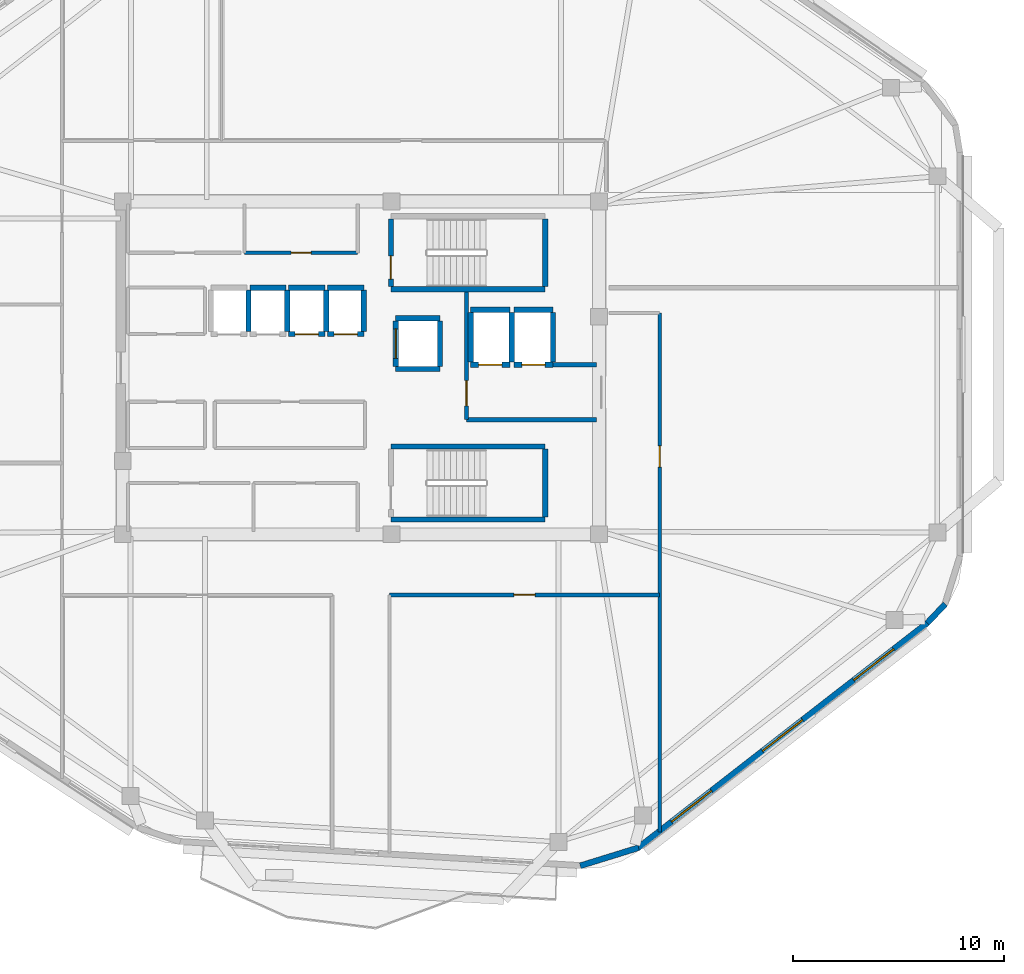
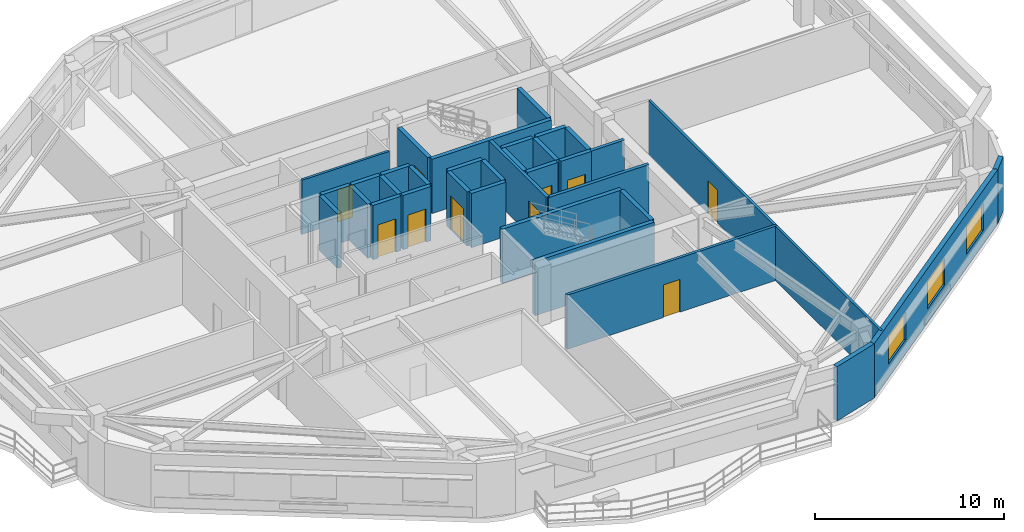
# One storey, part 4 of 9: 35 walls, 10 doors, 3 windows, 13 openings.
"""IFC4 building model written with IfcOpenShell, lengths in metres."""

from ifc_helpers import new_model, si_unit, direction, frame, frame_2d, origin, place, context, subcontext, project, spatial, rectangle, extrude, material, layer, layer_set, type_object, element, fill, save


model = new_model("IFC4")

# Units and contexts
model_context = context("Model", 3, precision=1e-05, world=origin(), true_north=direction((0.0, 1.0)))
body_context = subcontext(model_context, "Body", "Model", "MODEL_VIEW")
ifc_project = project(units=[si_unit("LENGTHUNIT", "METRE"), si_unit("AREAUNIT", "SQUARE_METRE"), si_unit("VOLUMEUNIT", "CUBIC_METRE"), si_unit("PLANEANGLEUNIT", "RADIAN"), si_unit("MASSUNIT", "GRAM", prefix="KILO")], contexts=[model_context])

# Site, building, storey
site_placement = place(None, origin())
site = spatial("IfcSite", under=ifc_project, at=site_placement, CompositionType="ELEMENT")
building_placement = place(site_placement, origin())
building = spatial("IfcBuilding", under=site, at=building_placement, Name="Zulverin Broadcast Headquarters", CompositionType="ELEMENT")
storey_placement = place(building_placement, frame((0.0, 0.0, 259.199951171875)))
storey = spatial("IfcBuildingStorey", under=building, at=storey_placement, Name="L66", CompositionType="ELEMENT", Elevation=259.199951171875)

# Wall, openings, windows
ifc_material_1 = material(Name="Insulated pale-metal clad concrete spandrel C40/50", Category="concrete")
ifc_layer_1 = layer(ifc_material_1, 0.280029296875, Name="Insulated pale-metal clad concrete spandrel C40/50", Category="concrete")
ifc_layer_set_1 = layer_set([ifc_layer_1], Name="Insulated pale-metal clad concrete spandrel C40/50")
wall_type_1 = type_object("IfcWallType", Name="WL-EXT-280", PredefinedType="STANDARD", material=ifc_layer_set_1)
wall_1_placement = place(storey_placement, frame((50.10400390625, 2.458984375, 0.0), z_axis=(0.0, 0.0, 1.0), x_axis=(0.789464857485, 0.613795763097, 0.0)))
wall_1 = element("IfcWall", 1, at=wall_1_placement, inside=storey, type_object=wall_type_1, Name="L66 Pale-Metal Clad Spandrel Wall 2", PredefinedType="STANDARD", context=body_context, shape_type="SweptSolid", body=[
    extrude(rectangle(XDim=17.387451171875, YDim=0.280029296875, at=frame_2d((8.69384765625, 0.0))), origin(), (0.0, 0.0, 1.0), 3.510009765625),
])
opening_1_placement = place(wall_1_placement, frame((2.03125, 0.0, 0.89990234375)))
opening_1 = element("IfcOpeningElement", 2, at=opening_1_placement, cuts=wall_1, Name="Opening W-L66-E21", PredefinedType="OPENING", context=body_context, shape_type="SweptSolid", body=[
    extrude(rectangle(XDim=2.39990234375, YDim=1.75, at=frame_2d((1.199951171875, 0.875))), frame((0.0, 0.14990234375, 0.0), z_axis=(0.0, -1.0, 0.0), x_axis=(1.0, 0.0, 0.0)), (0.0, 0.0, 1.0), 0.300048828125),
])
opening_2_placement = place(wall_1_placement, frame((7.49365234375, 0.0, 0.89990234375)))
opening_2 = element("IfcOpeningElement", 3, at=opening_2_placement, cuts=wall_1, Name="Opening W-L66-E22", PredefinedType="OPENING", context=body_context, shape_type="SweptSolid", body=[
    extrude(rectangle(XDim=2.39990234375, YDim=1.75, at=frame_2d((1.199951171875, 0.875))), frame((0.0, 0.14990234375, 0.0), z_axis=(0.0, -1.0, 0.0), x_axis=(1.0, 0.0, 0.0)), (0.0, 0.0, 1.0), 0.300048828125),
])
opening_3_placement = place(wall_1_placement, frame((12.956298828125, 0.0, 0.89990234375)))
opening_3 = element("IfcOpeningElement", 4, at=opening_3_placement, cuts=wall_1, Name="Opening W-L66-E23", PredefinedType="OPENING", context=body_context, shape_type="SweptSolid", body=[
    extrude(rectangle(XDim=2.39990234375, YDim=1.75, at=frame_2d((1.199951171875, 0.875))), frame((0.0, 0.14990234375, 0.0), z_axis=(0.0, -1.0, 0.0), x_axis=(1.0, 0.0, 0.0)), (0.0, 0.0, 1.0), 0.300048828125),
])
ifc_material_2 = material(Name="Pale anodized aluminium frame with solar-control low-E double glazing", Category="aluminium")
window_type = type_object("IfcWindowType", Name="WIN-RIB-2400", PartitioningType="SINGLE_PANEL", PredefinedType="WINDOW", material=ifc_material_2)
window_1_placement = place(opening_1_placement, origin())
window_1 = element("IfcWindow", 5, at=window_1_placement, inside=storey, type_object=window_type, Name="L66 Ribbon Glazing Window 2 1", OverallHeight=1.75, OverallWidth=2.39990234375, PartitioningType="SINGLE_PANEL", PredefinedType="WINDOW", context=body_context, shape_type="SweptSolid", body=[
    extrude(rectangle(XDim=2.39990234375, YDim=1.75, at=frame_2d((1.199951171875, 0.875))), frame((0.0, 0.030029296875, 0.0), z_axis=(0.0, -1.0, 0.0), x_axis=(1.0, 0.0, 0.0)), (0.0, 0.0, 1.0), 0.06005859375),
])
fill(opening_1, window_1)
window_2_placement = place(opening_2_placement, origin())
window_2 = element("IfcWindow", 6, at=window_2_placement, inside=storey, type_object=window_type, Name="L66 Ribbon Glazing Window 2 2", OverallHeight=1.75, OverallWidth=2.39990234375, PartitioningType="SINGLE_PANEL", PredefinedType="WINDOW", context=body_context, shape_type="SweptSolid", body=[
    extrude(rectangle(XDim=2.39990234375, YDim=1.75, at=frame_2d((1.199951171875, 0.875))), frame((0.0, 0.030029296875, 0.0), z_axis=(0.0, -1.0, 0.0), x_axis=(1.0, 0.0, 0.0)), (0.0, 0.0, 1.0), 0.06005859375),
])
fill(opening_2, window_2)
window_3_placement = place(opening_3_placement, origin())
window_3 = element("IfcWindow", 7, at=window_3_placement, inside=storey, type_object=window_type, Name="L66 Ribbon Glazing Window 2 3", OverallHeight=1.75, OverallWidth=2.39990234375, PartitioningType="SINGLE_PANEL", PredefinedType="WINDOW", context=body_context, shape_type="SweptSolid", body=[
    extrude(rectangle(XDim=2.39990234375, YDim=1.75, at=frame_2d((1.199951171875, 0.875))), frame((0.0, 0.030029296875, 0.0), z_axis=(0.0, -1.0, 0.0), x_axis=(1.0, 0.0, 0.0)), (0.0, 0.0, 1.0), 0.06005859375),
])
fill(opening_3, window_3)

# Walls
wall_2_placement = place(storey_placement, frame((47.38623046875, 1.626220703125, 0.0), z_axis=(0.0, 0.0, 1.0), x_axis=(0.955189316149, 0.29599555793, 0.0)))
element("IfcWall", 8, at=wall_2_placement, inside=storey, type_object=wall_type_1, Name="L66 Wind-Shaped Corner Spandrel Wall 1-1", PredefinedType="STANDARD", context=body_context, shape_type="SweptSolid", body=[
    extrude(rectangle(XDim=2.891845703125, YDim=0.280029296875, at=frame_2d((1.44580078125, 0.0))), origin(), (0.0, 0.0, 1.0), 3.510009765625),
])
wall_3_placement = place(storey_placement, frame((63.81494140625, 13.1171875, 0.0), z_axis=(0.0, 0.0, 1.0), x_axis=(0.687733716128, 0.725963040176, 0.0)))
element("IfcWall", 9, at=wall_3_placement, inside=storey, type_object=wall_type_1, Name="L66 Wind-Shaped Corner Spandrel Wall 2-1", PredefinedType="STANDARD", context=body_context, shape_type="SweptSolid", body=[
    extrude(rectangle(XDim=1.239013671875, YDim=0.280029296875, at=frame_2d((0.61962890625, 0.0))), origin(), (0.0, 0.0, 1.0), 3.510009765625),
])

# Wall, opening, door
ifc_material_3 = material(Name="Concrete C40/50", Category="concrete")
ifc_layer_2 = layer(ifc_material_3, 0.199951171875, Name="Concrete C40/50", Category="concrete")
ifc_layer_set_2 = layer_set([ifc_layer_2], Name="Concrete C40/50")
wall_type_2 = type_object("IfcWallType", Name="WL-FFL-200", PredefinedType="SOLIDWALL", material=ifc_layer_set_2)
wall_4_placement = place(storey_placement, frame((42.0, 22.75, 0.0), z_axis=(0.0, 0.0, 1.0), x_axis=(0.0, 1.0, 0.0)))
wall_4 = element("IfcWall", 10, at=wall_4_placement, inside=storey, type_object=wall_type_2, Name="L66 Firefighting Lift Lobby West Wall", PredefinedType="SOLIDWALL", context=body_context, shape_type="SweptSolid", body=[
    extrude(rectangle(XDim=6.050048828125, YDim=0.199951171875, at=frame_2d((3.02490234375, 0.0))), origin(), (0.0, 0.0, 1.0), 3.510009765625),
])
opening_4_placement = place(wall_4_placement, frame((0.64990234375, 0.0, 0.0)))
opening_4 = element("IfcOpeningElement", 11, at=opening_4_placement, cuts=wall_4, Name="Opening D-L66-FFLW", PredefinedType="OPENING", context=body_context, shape_type="SweptSolid", body=[
    extrude(rectangle(XDim=1.199951171875, YDim=2.14990234375, at=frame_2d((0.60009765625, 1.074951171875))), frame((0.0, 0.10986328125, 0.0), z_axis=(0.0, -1.0, 0.0), x_axis=(1.0, 0.0, 0.0)), (0.0, 0.0, 1.0), 0.219970703125),
])
ifc_material_4 = material(Name="Fire-rated steel leaf and frame", Category="steel")
door_type_1 = type_object("IfcDoorType", Name="DR-FFL-1200", OperationType="SINGLE_SWING_RIGHT", PredefinedType="DOOR", material=ifc_material_4)
door_1_placement = place(opening_4_placement, origin())
door_1 = element("IfcDoor", 12, at=door_1_placement, inside=storey, type_object=door_type_1, Name="L66 Firefighting Lift Lobby Door", OperationType="SINGLE_SWING_RIGHT", OverallHeight=2.14990234375, OverallWidth=1.199951171875, PredefinedType="DOOR", context=body_context, shape_type="SweptSolid", body=[
    extrude(rectangle(XDim=1.199951171875, YDim=2.14990234375, at=frame_2d((0.60009765625, 1.074951171875))), frame((0.0, 0.02490234375, 0.0), z_axis=(0.0, -1.0, 0.0), x_axis=(1.0, 0.0, 0.0)), (0.0, 0.0, 1.0), 0.050048828125),
])
fill(opening_4, door_1)

# Walls
wall_5_placement = place(storey_placement, frame((42.0, 22.75, 0.0), z_axis=(0.0, 0.0, 1.0), x_axis=(1.0, 0.0, 0.0)))
element("IfcWall", 13, at=wall_5_placement, inside=storey, type_object=wall_type_2, Name="L66 Firefighting Lift Lobby South Wall", PredefinedType="SOLIDWALL", context=body_context, shape_type="SweptSolid", body=[
    extrude(rectangle(XDim=6.14990234375, YDim=0.199951171875, at=frame_2d((3.074951171875, 0.0))), origin(), (0.0, 0.0, 1.0), 3.510009765625),
])
wall_6_placement = place(storey_placement, frame((46.10009765625, 25.35009765625, 0.0), z_axis=(0.0, 0.0, 1.0), x_axis=(1.0, 0.0, 0.0)))
element("IfcWall", 14, at=wall_6_placement, inside=storey, type_object=wall_type_2, Name="L66 Firefighting Lift Lobby North Wall", PredefinedType="SOLIDWALL", context=body_context, shape_type="SweptSolid", body=[
    extrude(rectangle(XDim=2.0498046875, YDim=0.199951171875, at=frame_2d((1.02490234375, 0.0))), origin(), (0.0, 0.0, 1.0), 3.510009765625),
])

# Wall, opening, door
ifc_material_5 = material(Name="Fire-rated gypsum stud partition", Category="gypsum")
ifc_layer_3 = layer(ifc_material_5, 0.14990234375, Name="Fire-rated gypsum stud partition", Category="gypsum")
ifc_layer_set_3 = layer_set([ifc_layer_3], Name="Fire-rated gypsum stud partition")
wall_type_3 = type_object("IfcWallType", Name="WL-PART-150", PredefinedType="PARTITIONING", material=ifc_layer_set_3)
wall_7_placement = place(storey_placement, frame((31.489990234375, 30.64990234375, 0.0), z_axis=(0.0, 0.0, 1.0), x_axis=(1.0, 0.0, 0.0)))
wall_7 = element("IfcWall", 15, at=wall_7_placement, inside=storey, type_object=wall_type_3, Name="L66 Core Accessible WC Front Wall", PredefinedType="PARTITIONING", context=body_context, shape_type="SweptSolid", body=[
    extrude(rectangle(XDim=5.360107421875, YDim=0.14990234375, at=frame_2d((2.68017578125, 0.0))), origin(), (0.0, 0.0, 1.0), 3.510009765625),
])
opening_5_placement = place(wall_7_placement, frame((2.205078125, 0.0, 0.0)))
opening_5 = element("IfcOpeningElement", 16, at=opening_5_placement, cuts=wall_7, Name="Opening D-L66-NC2", PredefinedType="OPENING", context=body_context, shape_type="SweptSolid", body=[
    extrude(rectangle(XDim=0.949951171875, YDim=2.10009765625, at=frame_2d((0.47509765625, 1.050048828125))), frame((0.0, 0.0849609375, 0.0), z_axis=(0.0, -1.0, 0.0), x_axis=(1.0, 0.0, 0.0)), (0.0, 0.0, 1.0), 0.169921875),
])
ifc_material_6 = material(Name="Fire-rated moisture-resistant laminate leaf", Category="wood")
door_type_2 = type_object("IfcDoorType", Name="DR-WC-950", OperationType="SINGLE_SWING_LEFT", PredefinedType="DOOR", material=ifc_material_6)
door_2_placement = place(opening_5_placement, origin())
door_2 = element("IfcDoor", 17, at=door_2_placement, inside=storey, type_object=door_type_2, Name="L66 Accessible WC Door", OperationType="SINGLE_SWING_RIGHT", OverallHeight=2.10009765625, OverallWidth=0.949951171875, PredefinedType="DOOR", context=body_context, shape_type="SweptSolid", body=[
    extrude(rectangle(XDim=0.949951171875, YDim=2.10009765625, at=frame_2d((0.47509765625, 1.050048828125))), frame((0.0, 0.02490234375, 0.0), z_axis=(0.0, -1.0, 0.0), x_axis=(1.0, 0.0, 0.0)), (0.0, 0.0, 1.0), 0.050048828125),
])
fill(opening_5, door_2)

wall_8_placement = place(storey_placement, frame((51.14990234375, 3.23486328125, 0.0), z_axis=(0.0, 0.0, 1.0), x_axis=(0.0, 1.0, 0.0)))
wall_8 = element("IfcWall", 18, at=wall_8_placement, inside=storey, type_object=wall_type_3, Name="L66 Gallery Partition Wall CG-01", PredefinedType="PARTITIONING", context=body_context, shape_type="SweptSolid", body=[
    extrude(rectangle(XDim=24.565185546875, YDim=0.14990234375, at=frame_2d((12.28271484375, 0.0))), origin(), (0.0, 0.0, 1.0), 3.510009765625),
])
opening_6_placement = place(wall_8_placement, frame((17.27001953125, 0.0, 0.0)))
opening_6 = element("IfcOpeningElement", 19, at=opening_6_placement, cuts=wall_8, Name="Opening D-L66-08", PredefinedType="OPENING", context=body_context, shape_type="SweptSolid", body=[
    extrude(rectangle(XDim=1.0, YDim=2.1201171875, at=frame_2d((0.5, 1.06005859375))), frame((0.0, 0.0849609375, 0.0), z_axis=(0.0, -1.0, 0.0), x_axis=(1.0, 0.0, 0.0)), (0.0, 0.0, 1.0), 0.169921875),
])
ifc_material_7 = material(Name="Hardwood veneer acoustic leaf", Category="wood")
door_type_3 = type_object("IfcDoorType", Name="DR-OFF-1000", OperationType="SINGLE_SWING_LEFT", PredefinedType="DOOR", material=ifc_material_7)
door_3_placement = place(opening_6_placement, origin())
door_3 = element("IfcDoor", 20, at=door_3_placement, inside=storey, type_object=door_type_3, Name="L66 Executive Producer Office Door", OperationType="SINGLE_SWING_LEFT", OverallHeight=2.1201171875, OverallWidth=1.0, PredefinedType="DOOR", context=body_context, shape_type="SweptSolid", body=[
    extrude(rectangle(XDim=1.0, YDim=2.1201171875, at=frame_2d((0.5, 1.06005859375))), frame((0.0, 0.02490234375, 0.0), z_axis=(0.0, -1.0, 0.0), x_axis=(1.0, 0.0, 0.0)), (0.0, 0.0, 1.0), 0.050048828125),
])
fill(opening_6, door_3)

ifc_material_8 = material(Name="Fire-rated acoustic stud wall", Category="gypsum")
ifc_layer_4 = layer(ifc_material_8, 0.175048828125, Name="Fire-rated acoustic stud wall", Category="gypsum")
ifc_layer_set_4 = layer_set([ifc_layer_4], Name="Fire-rated acoustic stud wall")
wall_type_4 = type_object("IfcWallType", Name="WL-PART-175", PredefinedType="PARTITIONING", material=ifc_layer_set_4)
wall_9_placement = place(storey_placement, frame((38.35009765625, 14.449951171875, 0.0), z_axis=(0.0, 0.0, 1.0), x_axis=(1.0, 0.0, 0.0)))
wall_9 = element("IfcWall", 21, at=wall_9_placement, inside=storey, type_object=wall_type_4, Name="L66 Gallery Partition Wall CG-08", PredefinedType="PARTITIONING", context=body_context, shape_type="SweptSolid", body=[
    extrude(rectangle(XDim=12.7998046875, YDim=0.175048828125, at=frame_2d((6.39990234375, 0.0))), origin(), (0.0, 0.0, 1.0), 3.510009765625),
])
opening_7_placement = place(wall_9_placement, frame((5.89990234375, 0.0, 0.0)))
opening_7 = element("IfcOpeningElement", 22, at=opening_7_placement, cuts=wall_9, Name="Opening D-L66-04", PredefinedType="OPENING", context=body_context, shape_type="SweptSolid", body=[
    extrude(rectangle(XDim=1.0, YDim=2.1201171875, at=frame_2d((0.5, 1.06005859375))), frame((0.0, 0.097412109375, 0.0), z_axis=(0.0, -1.0, 0.0), x_axis=(1.0, 0.0, 0.0)), (0.0, 0.0, 1.0), 0.195068359375),
])
door_4_placement = place(opening_7_placement, origin())
door_4 = element("IfcDoor", 23, at=door_4_placement, inside=storey, type_object=door_type_3, Name="L66 Planning Office Door", OperationType="SINGLE_SWING_LEFT", OverallHeight=2.1201171875, OverallWidth=1.0, PredefinedType="DOOR", context=body_context, shape_type="SweptSolid", body=[
    extrude(rectangle(XDim=1.0, YDim=2.1201171875, at=frame_2d((0.5, 1.06005859375))), frame((0.0, 0.02490234375, 0.0), z_axis=(0.0, -1.0, 0.0), x_axis=(1.0, 0.0, 0.0)), (0.0, 0.0, 1.0), 0.050048828125),
])
fill(opening_7, door_4)

# Wall
ifc_material_9 = material(Name="Concrete C50/60", Category="concrete")
ifc_layer_5 = layer(ifc_material_9, 0.25, Name="Concrete C50/60", Category="concrete")
ifc_layer_set_5 = layer_set([ifc_layer_5], Name="Concrete C50/60")
wall_type_5 = type_object("IfcWallType", Name="WL-SHAFT-250", PredefinedType="SHEAR", material=ifc_layer_set_5)
wall_10_placement = place(storey_placement, frame((38.425048828125, 28.925048828125, 0.0), z_axis=(0.0, 0.0, 1.0), x_axis=(1.0, 0.0, 0.0)))
element("IfcWall", 24, at=wall_10_placement, inside=storey, type_object=wall_type_5, Name="L66 ST-1 Enclosure Wall S", PredefinedType="SHEAR", context=body_context, shape_type="SweptSolid", body=[
    extrude(rectangle(XDim=7.300048828125, YDim=0.25, at=frame_2d((3.64990234375, 0.0))), origin(), (0.0, 0.0, 1.0), 3.510009765625),
])

# Wall, opening, door
wall_11_placement = place(storey_placement, frame((38.425048828125, 29.050048828125, 0.0), z_axis=(0.0, 0.0, 1.0), x_axis=(0.0, 1.0, 0.0)))
wall_11 = element("IfcWall", 25, at=wall_11_placement, inside=storey, type_object=wall_type_5, Name="L66 ST-1 Enclosure Wall W", PredefinedType="SHEAR", context=body_context, shape_type="SweptSolid", body=[
    extrude(rectangle(XDim=3.199951171875, YDim=0.25, at=frame_2d((1.60009765625, 0.0))), origin(), (0.0, 0.0, 1.0), 3.510009765625),
])
opening_8_placement = place(wall_11_placement, frame((0.35009765625, 0.0, 0.0)))
opening_8 = element("IfcOpeningElement", 26, at=opening_8_placement, cuts=wall_11, Name="Opening D-L66-ST-1", PredefinedType="OPENING", context=body_context, shape_type="SweptSolid", body=[
    extrude(rectangle(XDim=1.10009765625, YDim=2.14990234375, at=frame_2d((0.550048828125, 1.074951171875))), frame((0.0, 0.135009765625, 0.0), z_axis=(0.0, -1.0, 0.0), x_axis=(1.0, 0.0, 0.0)), (0.0, 0.0, 1.0), 0.27001953125),
])
door_type_4 = type_object("IfcDoorType", Name="DR-STAIR-1100", OperationType="SINGLE_SWING_LEFT", PredefinedType="DOOR", material=ifc_material_4)
door_5_placement = place(opening_8_placement, origin())
door_5 = element("IfcDoor", 27, at=door_5_placement, inside=storey, type_object=door_type_4, Name="L66 Exit Stair ST-1 Fire Door", OperationType="SINGLE_SWING_LEFT", OverallHeight=2.14990234375, OverallWidth=1.10009765625, PredefinedType="DOOR", context=body_context, shape_type="SweptSolid", body=[
    extrude(rectangle(XDim=1.10009765625, YDim=2.14990234375, at=frame_2d((0.550048828125, 1.074951171875))), frame((0.0, 0.02490234375, 0.0), z_axis=(0.0, -1.0, 0.0), x_axis=(1.0, 0.0, 0.0)), (0.0, 0.0, 1.0), 0.050048828125),
])
fill(opening_8, door_5)

# Walls
wall_12_placement = place(storey_placement, frame((45.72509765625, 29.050048828125, 0.0), z_axis=(0.0, 0.0, 1.0), x_axis=(0.0, 1.0, 0.0)))
element("IfcWall", 28, at=wall_12_placement, inside=storey, type_object=wall_type_5, Name="L66 ST-1 Enclosure Wall E", PredefinedType="SHEAR", context=body_context, shape_type="SweptSolid", body=[
    extrude(rectangle(XDim=3.199951171875, YDim=0.25, at=frame_2d((1.60009765625, 0.0))), origin(), (0.0, 0.0, 1.0), 3.510009765625),
])
for number, where, z_axis, x_axis, name in (
    (29, (38.425048828125, 18.02490234375, 0.0), (0.0, 0.0, 1.0), (1.0, 0.0, 0.0), "L66 ST-2 Enclosure Wall S"),
    (30, (38.425048828125, 21.47509765625, 0.0), (0.0, 0.0, 1.0), (1.0, 0.0, 0.0), "L66 ST-2 Enclosure Wall N"),
):
    element("IfcWall", number, at=place(storey_placement, frame(where, z_axis=z_axis, x_axis=x_axis)), inside=storey, type_object=wall_type_5, Name=name, PredefinedType="SHEAR", context=body_context, shape_type="SweptSolid", body=[
        extrude(rectangle(XDim=7.300048828125, YDim=0.25, at=frame_2d((3.64990234375, 0.0))), origin(), (0.0, 0.0, 1.0), 3.510009765625),
    ])
wall_13_placement = place(storey_placement, frame((45.72509765625, 18.14990234375, 0.0), z_axis=(0.0, 0.0, 1.0), x_axis=(0.0, 1.0, 0.0)))
element("IfcWall", 31, at=wall_13_placement, inside=storey, type_object=wall_type_5, Name="L66 ST-2 Enclosure Wall E", PredefinedType="SHEAR", context=body_context, shape_type="SweptSolid", body=[
    extrude(rectangle(XDim=3.2001953125, YDim=0.25, at=frame_2d((1.60009765625, 0.0))), origin(), (0.0, 0.0, 1.0), 3.510009765625),
])
wall_14_placement = place(storey_placement, frame((31.679931640625, 26.919921875, 0.0), z_axis=(0.0, 0.0, 1.0), x_axis=(0.0, 1.0, 0.0)))
element("IfcWall", 32, at=wall_14_placement, inside=storey, type_object=wall_type_5, Name="L66 Lift PL-H1 Shaft Wall E", PredefinedType="SHEAR", context=body_context, shape_type="SweptSolid", body=[
    extrude(rectangle(XDim=1.9599609375, YDim=0.25, at=frame_2d((0.97998046875, 0.0))), origin(), (0.0, 0.0, 1.0), 3.510009765625),
])
wall_15_placement = place(storey_placement, frame((31.739990234375, 29.0, 0.0), z_axis=(0.0, 0.0, 1.0), x_axis=(1.0, 0.0, 0.0)))
element("IfcWall", 33, at=wall_15_placement, inside=storey, type_object=wall_type_5, Name="L66 Lift PL-H2 Shaft Wall N", PredefinedType="SHEAR", context=body_context, shape_type="SweptSolid", body=[
    extrude(rectangle(XDim=1.719970703125, YDim=0.25, at=frame_2d((0.85986328125, 0.0))), origin(), (0.0, 0.0, 1.0), 3.510009765625),
])
wall_16_placement = place(storey_placement, frame((33.52001953125, 26.919921875, 0.0), z_axis=(0.0, 0.0, 1.0), x_axis=(0.0, 1.0, 0.0)))
element("IfcWall", 34, at=wall_16_placement, inside=storey, type_object=wall_type_5, Name="L66 Lift PL-H2 Shaft Wall E", PredefinedType="SHEAR", context=body_context, shape_type="SweptSolid", body=[
    extrude(rectangle(XDim=1.9599609375, YDim=0.25, at=frame_2d((0.97998046875, 0.0))), origin(), (0.0, 0.0, 1.0), 3.510009765625),
])

# Wall, opening, door
wall_17_placement = place(storey_placement, frame((33.580078125, 26.800048828125, 0.0), z_axis=(0.0, 0.0, 1.0), x_axis=(1.0, 0.0, 0.0)))
wall_17 = element("IfcWall", 35, at=wall_17_placement, inside=storey, type_object=wall_type_5, Name="L66 Lift PL-H3 Shaft Wall S", PredefinedType="SHEAR", context=body_context, shape_type="SweptSolid", body=[
    extrude(rectangle(XDim=1.719970703125, YDim=0.25, at=frame_2d((0.85986328125, 0.0))), origin(), (0.0, 0.0, 1.0), 3.510009765625),
])
opening_9_placement = place(wall_17_placement, frame((0.31005859375, 0.0, 0.0)))
opening_9 = element("IfcOpeningElement", 36, at=opening_9_placement, cuts=wall_17, Name="Opening LD-PL-H3-L66", PredefinedType="OPENING", context=body_context, shape_type="SweptSolid", body=[
    extrude(rectangle(XDim=1.10009765625, YDim=2.14990234375, at=frame_2d((0.550048828125, 1.074951171875))), frame((0.0, 0.135009765625, 0.0), z_axis=(0.0, -1.0, 0.0), x_axis=(1.0, 0.0, 0.0)), (0.0, 0.0, 1.0), 0.27001953125),
])
ifc_material_10 = material(Name="Brushed stainless steel landing", Category="steel")
door_type_5 = type_object("IfcDoorType", Name="LD-PASS-1100", OperationType="DOUBLE_DOOR_SLIDING", PredefinedType="DOOR", material=ifc_material_10)
door_6_placement = place(opening_9_placement, origin())
door_6 = element("IfcDoor", 37, at=door_6_placement, inside=storey, type_object=door_type_5, Name="L66 Lift PL-H3 Sliding Landing Door", OperationType="DOUBLE_DOOR_SLIDING", OverallHeight=2.14990234375, OverallWidth=1.10009765625, PredefinedType="DOOR", context=body_context, shape_type="SweptSolid", body=[
    extrude(rectangle(XDim=1.10009765625, YDim=2.14990234375, at=frame_2d((0.550048828125, 1.074951171875))), frame((0.0, 0.02490234375, 0.0), z_axis=(0.0, -1.0, 0.0), x_axis=(1.0, 0.0, 0.0)), (0.0, 0.0, 1.0), 0.050048828125),
])
fill(opening_9, door_6)

# Walls
wall_18_placement = place(storey_placement, frame((33.580078125, 29.0, 0.0), z_axis=(0.0, 0.0, 1.0), x_axis=(1.0, 0.0, 0.0)))
element("IfcWall", 38, at=wall_18_placement, inside=storey, type_object=wall_type_5, Name="L66 Lift PL-H3 Shaft Wall N", PredefinedType="SHEAR", context=body_context, shape_type="SweptSolid", body=[
    extrude(rectangle(XDim=1.719970703125, YDim=0.25, at=frame_2d((0.85986328125, 0.0))), origin(), (0.0, 0.0, 1.0), 3.510009765625),
])
wall_19_placement = place(storey_placement, frame((35.360107421875, 26.919921875, 0.0), z_axis=(0.0, 0.0, 1.0), x_axis=(0.0, 1.0, 0.0)))
element("IfcWall", 39, at=wall_19_placement, inside=storey, type_object=wall_type_5, Name="L66 Lift PL-H3 Shaft Wall E", PredefinedType="SHEAR", context=body_context, shape_type="SweptSolid", body=[
    extrude(rectangle(XDim=1.9599609375, YDim=0.25, at=frame_2d((0.97998046875, 0.0))), origin(), (0.0, 0.0, 1.0), 3.510009765625),
])

# Wall, opening, door
wall_20_placement = place(storey_placement, frame((35.419921875, 26.800048828125, 0.0), z_axis=(0.0, 0.0, 1.0), x_axis=(1.0, 0.0, 0.0)))
wall_20 = element("IfcWall", 40, at=wall_20_placement, inside=storey, type_object=wall_type_5, Name="L66 Lift PL-H4 Shaft Wall S", PredefinedType="SHEAR", context=body_context, shape_type="SweptSolid", body=[
    extrude(rectangle(XDim=1.719970703125, YDim=0.25, at=frame_2d((0.85986328125, 0.0))), origin(), (0.0, 0.0, 1.0), 3.510009765625),
])
opening_10_placement = place(wall_20_placement, frame((0.31005859375, 0.0, 0.0)))
opening_10 = element("IfcOpeningElement", 41, at=opening_10_placement, cuts=wall_20, Name="Opening LD-PL-H4-L66", PredefinedType="OPENING", context=body_context, shape_type="SweptSolid", body=[
    extrude(rectangle(XDim=1.10009765625, YDim=2.14990234375, at=frame_2d((0.550048828125, 1.074951171875))), frame((0.0, 0.135009765625, 0.0), z_axis=(0.0, -1.0, 0.0), x_axis=(1.0, 0.0, 0.0)), (0.0, 0.0, 1.0), 0.27001953125),
])
door_7_placement = place(opening_10_placement, origin())
door_7 = element("IfcDoor", 42, at=door_7_placement, inside=storey, type_object=door_type_5, Name="L66 Lift PL-H4 Sliding Landing Door", OperationType="DOUBLE_DOOR_SLIDING", OverallHeight=2.14990234375, OverallWidth=1.10009765625, PredefinedType="DOOR", context=body_context, shape_type="SweptSolid", body=[
    extrude(rectangle(XDim=1.10009765625, YDim=2.14990234375, at=frame_2d((0.550048828125, 1.074951171875))), frame((0.0, 0.02490234375, 0.0), z_axis=(0.0, -1.0, 0.0), x_axis=(1.0, 0.0, 0.0)), (0.0, 0.0, 1.0), 0.050048828125),
])
fill(opening_10, door_7)

# Walls
wall_21_placement = place(storey_placement, frame((35.419921875, 29.0, 0.0), z_axis=(0.0, 0.0, 1.0), x_axis=(1.0, 0.0, 0.0)))
element("IfcWall", 43, at=wall_21_placement, inside=storey, type_object=wall_type_5, Name="L66 Lift PL-H4 Shaft Wall N", PredefinedType="SHEAR", context=body_context, shape_type="SweptSolid", body=[
    extrude(rectangle(XDim=1.719970703125, YDim=0.25, at=frame_2d((0.85986328125, 0.0))), origin(), (0.0, 0.0, 1.0), 3.510009765625),
])
wall_22_placement = place(storey_placement, frame((37.139892578125, 26.919921875, 0.0), z_axis=(0.0, 0.0, 1.0), x_axis=(0.0, 1.0, 0.0)))
element("IfcWall", 44, at=wall_22_placement, inside=storey, type_object=wall_type_5, Name="L66 Lift PL-H4 Shaft Wall E", PredefinedType="SHEAR", context=body_context, shape_type="SweptSolid", body=[
    extrude(rectangle(XDim=1.9599609375, YDim=0.25, at=frame_2d((0.97998046875, 0.0))), origin(), (0.0, 0.0, 1.0), 3.510009765625),
])

# Wall, opening, door
wall_23_placement = place(storey_placement, frame((42.199951171875, 25.35009765625, 0.0), z_axis=(0.0, 0.0, 1.0), x_axis=(1.0, 0.0, 0.0)))
wall_23 = element("IfcWall", 45, at=wall_23_placement, inside=storey, type_object=wall_type_5, Name="L66 Lift FFL-1 Shaft Wall S", PredefinedType="SHEAR", context=body_context, shape_type="SweptSolid", body=[
    extrude(rectangle(XDim=1.85009765625, YDim=0.25, at=frame_2d((0.925048828125, 0.0))), origin(), (0.0, 0.0, 1.0), 3.510009765625),
])
opening_11_placement = place(wall_23_placement, frame((0.375, 0.0, 0.0)))
opening_11 = element("IfcOpeningElement", 46, at=opening_11_placement, cuts=wall_23, Name="Opening LD-FFL-1-L66", PredefinedType="OPENING", context=body_context, shape_type="SweptSolid", body=[
    extrude(rectangle(XDim=1.10009765625, YDim=2.14990234375, at=frame_2d((0.550048828125, 1.074951171875))), frame((0.0, 0.135009765625, 0.0), z_axis=(0.0, -1.0, 0.0), x_axis=(1.0, 0.0, 0.0)), (0.0, 0.0, 1.0), 0.27001953125),
])
ifc_material_11 = material(Name="Fire-rated stainless landing door", Category="steel")
door_type_6 = type_object("IfcDoorType", Name="LD-FFL-1100", OperationType="DOUBLE_DOOR_SLIDING", PredefinedType="DOOR", material=ifc_material_11)
door_8_placement = place(opening_11_placement, origin())
door_8 = element("IfcDoor", 47, at=door_8_placement, inside=storey, type_object=door_type_6, Name="L66 Lift FFL-1 Sliding Landing Door", OperationType="DOUBLE_DOOR_SLIDING", OverallHeight=2.14990234375, OverallWidth=1.10009765625, PredefinedType="DOOR", context=body_context, shape_type="SweptSolid", body=[
    extrude(rectangle(XDim=1.10009765625, YDim=2.14990234375, at=frame_2d((0.550048828125, 1.074951171875))), frame((0.0, 0.02490234375, 0.0), z_axis=(0.0, -1.0, 0.0), x_axis=(1.0, 0.0, 0.0)), (0.0, 0.0, 1.0), 0.050048828125),
])
fill(opening_11, door_8)

# Walls
wall_24_placement = place(storey_placement, frame((42.199951171875, 27.949951171875, 0.0), z_axis=(0.0, 0.0, 1.0), x_axis=(1.0, 0.0, 0.0)))
element("IfcWall", 48, at=wall_24_placement, inside=storey, type_object=wall_type_5, Name="L66 Lift FFL-1 Shaft Wall N", PredefinedType="SHEAR", context=body_context, shape_type="SweptSolid", body=[
    extrude(rectangle(XDim=1.85009765625, YDim=0.25, at=frame_2d((0.925048828125, 0.0))), origin(), (0.0, 0.0, 1.0), 3.510009765625),
])
for number, where, z_axis, x_axis, name in (
    (49, (42.199951171875, 25.469970703125, 0.0), (0.0, 0.0, 1.0), (0.0, 1.0, 0.0), "L66 Lift FFL-1 Shaft Wall W"),
    (50, (44.14990234375, 25.469970703125, 0.0), (0.0, 0.0, 1.0), (0.0, 1.0, 0.0), "L66 Lift FFL-1 Shaft Wall E"),
):
    element("IfcWall", number, at=place(storey_placement, frame(where, z_axis=z_axis, x_axis=x_axis)), inside=storey, type_object=wall_type_5, Name=name, PredefinedType="SHEAR", context=body_context, shape_type="SweptSolid", body=[
        extrude(rectangle(XDim=2.360107421875, YDim=0.25, at=frame_2d((1.18017578125, 0.0))), origin(), (0.0, 0.0, 1.0), 3.510009765625),
    ])

# Wall, opening, door
wall_25_placement = place(storey_placement, frame((44.25, 25.35009765625, 0.0), z_axis=(0.0, 0.0, 1.0), x_axis=(1.0, 0.0, 0.0)))
wall_25 = element("IfcWall", 51, at=wall_25_placement, inside=storey, type_object=wall_type_5, Name="L66 Lift FFL-2 Shaft Wall S", PredefinedType="SHEAR", context=body_context, shape_type="SweptSolid", body=[
    extrude(rectangle(XDim=1.85009765625, YDim=0.25, at=frame_2d((0.925048828125, 0.0))), origin(), (0.0, 0.0, 1.0), 3.510009765625),
])
opening_12_placement = place(wall_25_placement, frame((0.375, 0.0, 0.0)))
opening_12 = element("IfcOpeningElement", 52, at=opening_12_placement, cuts=wall_25, Name="Opening LD-FFL-2-L66", PredefinedType="OPENING", context=body_context, shape_type="SweptSolid", body=[
    extrude(rectangle(XDim=1.10009765625, YDim=2.14990234375, at=frame_2d((0.550048828125, 1.074951171875))), frame((0.0, 0.135009765625, 0.0), z_axis=(0.0, -1.0, 0.0), x_axis=(1.0, 0.0, 0.0)), (0.0, 0.0, 1.0), 0.27001953125),
])
door_9_placement = place(opening_12_placement, origin())
door_9 = element("IfcDoor", 53, at=door_9_placement, inside=storey, type_object=door_type_6, Name="L66 Lift FFL-2 Sliding Landing Door", OperationType="DOUBLE_DOOR_SLIDING", OverallHeight=2.14990234375, OverallWidth=1.10009765625, PredefinedType="DOOR", context=body_context, shape_type="SweptSolid", body=[
    extrude(rectangle(XDim=1.10009765625, YDim=2.14990234375, at=frame_2d((0.550048828125, 1.074951171875))), frame((0.0, 0.02490234375, 0.0), z_axis=(0.0, -1.0, 0.0), x_axis=(1.0, 0.0, 0.0)), (0.0, 0.0, 1.0), 0.050048828125),
])
fill(opening_12, door_9)

# Walls
wall_26_placement = place(storey_placement, frame((44.25, 27.949951171875, 0.0), z_axis=(0.0, 0.0, 1.0), x_axis=(1.0, 0.0, 0.0)))
element("IfcWall", 54, at=wall_26_placement, inside=storey, type_object=wall_type_5, Name="L66 Lift FFL-2 Shaft Wall N", PredefinedType="SHEAR", context=body_context, shape_type="SweptSolid", body=[
    extrude(rectangle(XDim=1.85009765625, YDim=0.25, at=frame_2d((0.925048828125, 0.0))), origin(), (0.0, 0.0, 1.0), 3.510009765625),
])
wall_27_placement = place(storey_placement, frame((46.10009765625, 25.469970703125, 0.0), z_axis=(0.0, 0.0, 1.0), x_axis=(0.0, 1.0, 0.0)))
element("IfcWall", 55, at=wall_27_placement, inside=storey, type_object=wall_type_5, Name="L66 Lift FFL-2 Shaft Wall E", PredefinedType="SHEAR", context=body_context, shape_type="SweptSolid", body=[
    extrude(rectangle(XDim=2.360107421875, YDim=0.25, at=frame_2d((1.18017578125, 0.0))), origin(), (0.0, 0.0, 1.0), 3.510009765625),
])
for number, where, z_axis, x_axis, name in (
    (56, (38.64990234375, 25.14990234375, 0.0), (0.0, 0.0, 1.0), (1.0, 0.0, 0.0), "L66 Lift SVL-1 Shaft Wall S"),
    (57, (38.64990234375, 27.550048828125, 0.0), (0.0, 0.0, 1.0), (1.0, 0.0, 0.0), "L66 Lift SVL-1 Shaft Wall N"),
):
    element("IfcWall", number, at=place(storey_placement, frame(where, z_axis=z_axis, x_axis=x_axis)), inside=storey, type_object=wall_type_5, Name=name, PredefinedType="SHEAR", context=body_context, shape_type="SweptSolid", body=[
        extrude(rectangle(XDim=2.10009765625, YDim=0.25, at=frame_2d((1.050048828125, 0.0))), origin(), (0.0, 0.0, 1.0), 3.510009765625),
    ])

# Wall, opening, door
wall_28_placement = place(storey_placement, frame((38.64990234375, 25.27001953125, 0.0), z_axis=(0.0, 0.0, 1.0), x_axis=(0.0, 1.0, 0.0)))
wall_28 = element("IfcWall", 58, at=wall_28_placement, inside=storey, type_object=wall_type_5, Name="L66 Lift SVL-1 Shaft Wall W", PredefinedType="SHEAR", context=body_context, shape_type="SweptSolid", body=[
    extrude(rectangle(XDim=2.159912109375, YDim=0.25, at=frame_2d((1.080078125, 0.0))), origin(), (0.0, 0.0, 1.0), 3.510009765625),
])
opening_13_placement = place(wall_28_placement, frame((0.3798828125, 0.0, 0.0)))
opening_13 = element("IfcOpeningElement", 59, at=opening_13_placement, cuts=wall_28, Name="Opening LD-SVL-1-L66", PredefinedType="OPENING", context=body_context, shape_type="SweptSolid", body=[
    extrude(rectangle(XDim=1.39990234375, YDim=2.199951171875, at=frame_2d((0.699951171875, 1.10009765625))), frame((0.0, 0.135009765625, 0.0), z_axis=(0.0, -1.0, 0.0), x_axis=(1.0, 0.0, 0.0)), (0.0, 0.0, 1.0), 0.27001953125),
])
ifc_material_12 = material(Name="Heavy-duty stainless landing door", Category="steel")
door_type_7 = type_object("IfcDoorType", Name="LD-GOODS-1400", OperationType="DOUBLE_DOOR_SLIDING", PredefinedType="DOOR", material=ifc_material_12)
door_10_placement = place(opening_13_placement, origin())
door_10 = element("IfcDoor", 60, at=door_10_placement, inside=storey, type_object=door_type_7, Name="L66 Lift SVL-1 Sliding Landing Door", OperationType="DOUBLE_DOOR_SLIDING", OverallHeight=2.199951171875, OverallWidth=1.39990234375, PredefinedType="DOOR", context=body_context, shape_type="SweptSolid", body=[
    extrude(rectangle(XDim=1.39990234375, YDim=2.199951171875, at=frame_2d((0.699951171875, 1.10009765625))), frame((0.0, 0.02490234375, 0.0), z_axis=(0.0, -1.0, 0.0), x_axis=(1.0, 0.0, 0.0)), (0.0, 0.0, 1.0), 0.050048828125),
])
fill(opening_13, door_10)

# Wall
wall_29_placement = place(storey_placement, frame((40.75, 25.27001953125, 0.0), z_axis=(0.0, 0.0, 1.0), x_axis=(0.0, 1.0, 0.0)))
element("IfcWall", 61, at=wall_29_placement, inside=storey, type_object=wall_type_5, Name="L66 Lift SVL-1 Shaft Wall E", PredefinedType="SHEAR", context=body_context, shape_type="SweptSolid", body=[
    extrude(rectangle(XDim=2.159912109375, YDim=0.25, at=frame_2d((1.080078125, 0.0))), origin(), (0.0, 0.0, 1.0), 3.510009765625),
])

save(model, "model.ifc")
